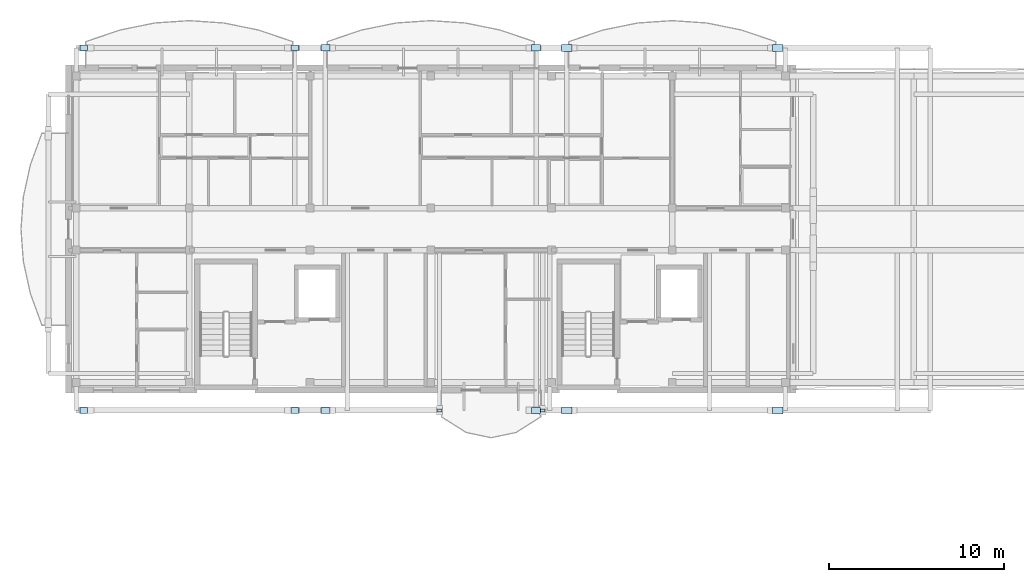
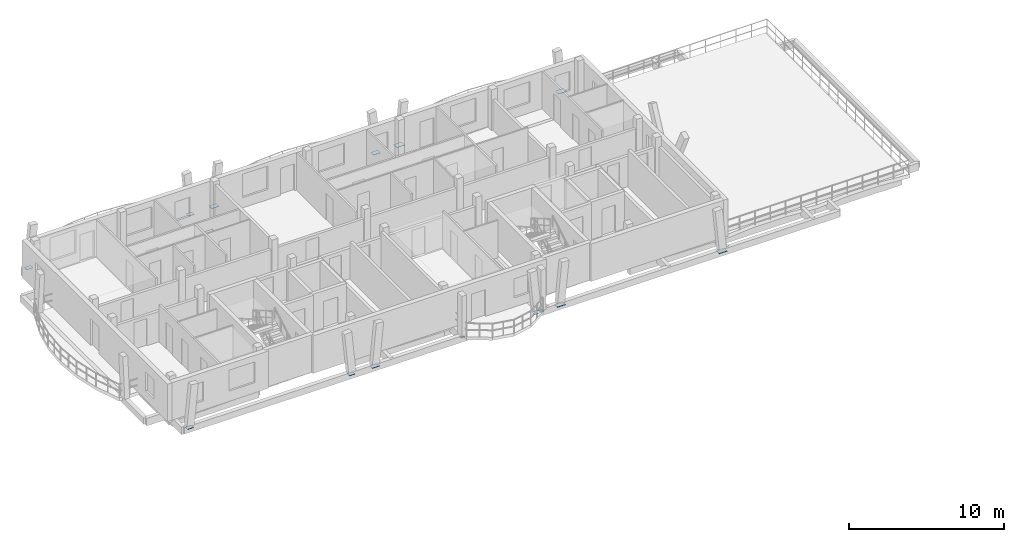
# One storey, part 11 of 42: 14 plates.
"""IFC4 building model written with IfcOpenShell, lengths in metres."""

from ifc_helpers import new_model, si_unit, direction, frame, origin, origin_2d, place, context, subcontext, project, spatial, rectangle, extrude, material, layer, layer_set, type_object, element, save


model = new_model("IFC4")

# Units and contexts
model_context = context("Model", 3, precision=1e-05, world=origin(), true_north=direction((0.0, 1.0)))
body_context = subcontext(model_context, "Body", "Model", "MODEL_VIEW")
ifc_project = project(units=[si_unit("LENGTHUNIT", "METRE"), si_unit("AREAUNIT", "SQUARE_METRE"), si_unit("VOLUMEUNIT", "CUBIC_METRE"), si_unit("PLANEANGLEUNIT", "RADIAN"), si_unit("MASSUNIT", "GRAM", prefix="KILO")], contexts=[model_context])

# Site, building, storey
site_placement = place(None, origin())
site = spatial("IfcSite", under=ifc_project, at=site_placement, CompositionType="ELEMENT")
building_placement = place(site_placement, origin())
building = spatial("IfcBuilding", under=site, at=building_placement, Name="Zavelmont Quarter", CompositionType="ELEMENT")
storey_placement = place(building_placement, frame((0.0, 0.0, 24.0)))
storey = spatial("IfcBuildingStorey", under=building, at=storey_placement, Name="L07", CompositionType="ELEMENT", Elevation=24.0)

# Plates
ifc_material = material(Name="Steel S355", Category="steel")
ifc_layer_1 = layer(ifc_material, 0.02001953125)
ifc_layer_set_1 = layer_set([ifc_layer_1], Name="Steel S355")
plate_type_1 = type_object("IfcPlateType", Name="NP01", PredefinedType="SHEET", material=ifc_layer_set_1)
for number, where, z_axis, x_axis, name in (
    (1, (21.199951171875, 96.43798828125, -0.2099609375), (0.0, 0.0, 1.0), (1.0, 0.0, 0.0), "L07 steel connection plate NP01 at 4/P"),
    (2, (27.10009765625, 96.43798828125, -0.2099609375), (0.0, 0.0, 1.0), (1.0, 0.0, 0.0), "L07 steel connection plate NP01 at 5/P"),
):
    element("IfcPlate", number, at=place(storey_placement, frame(where, z_axis=z_axis, x_axis=x_axis)), inside=storey, type_object=plate_type_1, Name=name, PredefinedType="SHEET", context=body_context, shape_type="SweptSolid", body=[
        extrude(rectangle(XDim=0.280029296875, YDim=0.179931640625, at=origin_2d()), origin(), (0.0, 0.0, 1.0), 0.02001953125),
    ])
ifc_layer_2 = layer(ifc_material, 0.02490234375)
ifc_layer_set_2 = layer_set([ifc_layer_2], Name="Steel S355")
plate_type_2 = type_object("IfcPlateType", Name="NP03", PredefinedType="SHEET", material=ifc_layer_set_2)
for number, where, z_axis, x_axis, name in (
    (3, (0.87890625, 117.162109375, -0.21240234375), (0.0, 0.0, 1.0), (1.0, 0.0, 0.0), "L07 steel connection plate NP03 at 1/S"),
    (4, (12.921142578125, 117.162109375, -0.21240234375), (0.0, 0.0, 1.0), (1.0, 0.0, 0.0), "L07 steel connection plate NP03 at 3/S"),
    (5, (0.87890625, 96.43798828125, -0.21240234375), (0.0, 0.0, 1.0), (1.0, 0.0, 0.0), "L07 steel connection plate NP03 at 1/P"),
    (6, (12.921142578125, 96.43798828125, -0.21240234375), (0.0, 0.0, 1.0), (1.0, 0.0, 0.0), "L07 steel connection plate NP03 at 3/P"),
):
    element("IfcPlate", number, at=place(storey_placement, frame(where, z_axis=z_axis, x_axis=x_axis)), inside=storey, type_object=plate_type_2, Name=name, PredefinedType="SHEET", context=body_context, shape_type="SweptSolid", body=[
        extrude(rectangle(XDim=0.43994140625, YDim=0.320068359375, at=origin_2d()), origin(), (0.0, 0.0, 1.0), 0.02490234375),
    ])
ifc_layer_3 = layer(ifc_material, 0.028076171875)
ifc_layer_set_3 = layer_set([ifc_layer_3], Name="Steel S355")
plate_type_3 = type_object("IfcPlateType", Name="NP04", PredefinedType="SHEET", material=ifc_layer_set_3)
for number, where, z_axis, x_axis, name in (
    (7, (14.678955078125, 117.162109375, -0.2138671875), (0.0, 0.0, 1.0), (1.0, 0.0, 0.0), "L07 steel connection plate NP04 at 3/S"),
    (8, (26.72119140625, 117.162109375, -0.2138671875), (0.0, 0.0, 1.0), (1.0, 0.0, 0.0), "L07 steel connection plate NP04 at 5/S"),
    (9, (14.678955078125, 96.43798828125, -0.2138671875), (0.0, 0.0, 1.0), (1.0, 0.0, 0.0), "L07 steel connection plate NP04 at 3/P"),
    (10, (26.72119140625, 96.43798828125, -0.2138671875), (0.0, 0.0, 1.0), (1.0, 0.0, 0.0), "L07 steel connection plate NP04 at 5/P"),
):
    element("IfcPlate", number, at=place(storey_placement, frame(where, z_axis=z_axis, x_axis=x_axis)), inside=storey, type_object=plate_type_3, Name=name, PredefinedType="SHEET", context=body_context, shape_type="SweptSolid", body=[
        extrude(rectangle(XDim=0.52001953125, YDim=0.360107421875, at=origin_2d()), origin(), (0.0, 0.0, 1.0), 0.028076171875),
    ])
ifc_layer_4 = layer(ifc_material, 0.030029296875)
ifc_layer_set_4 = layer_set([ifc_layer_4], Name="Steel S355")
plate_type_4 = type_object("IfcPlateType", Name="NP05", PredefinedType="SHEET", material=ifc_layer_set_4)
for number, where, z_axis, x_axis, name in (
    (11, (28.47900390625, 117.162109375, -0.21484375), (0.0, 0.0, 1.0), (1.0, 0.0, 0.0), "L07 steel connection plate NP05 at 5/S"),
    (12, (40.52099609375, 117.162109375, -0.21484375), (0.0, 0.0, 1.0), (1.0, 0.0, 0.0), "L07 steel connection plate NP05 at 7/S"),
    (13, (28.47900390625, 96.43798828125, -0.21484375), (0.0, 0.0, 1.0), (1.0, 0.0, 0.0), "L07 steel connection plate NP05 at 5/P"),
    (14, (40.52099609375, 96.43798828125, -0.21484375), (0.0, 0.0, 1.0), (1.0, 0.0, 0.0), "L07 steel connection plate NP05 at 7/P"),
):
    element("IfcPlate", number, at=place(storey_placement, frame(where, z_axis=z_axis, x_axis=x_axis)), inside=storey, type_object=plate_type_4, Name=name, PredefinedType="SHEET", context=body_context, shape_type="SweptSolid", body=[
        extrude(rectangle(XDim=0.60009765625, YDim=0.39990234375, at=origin_2d()), origin(), (0.0, 0.0, 1.0), 0.030029296875),
    ])

save(model, "model.ifc")
